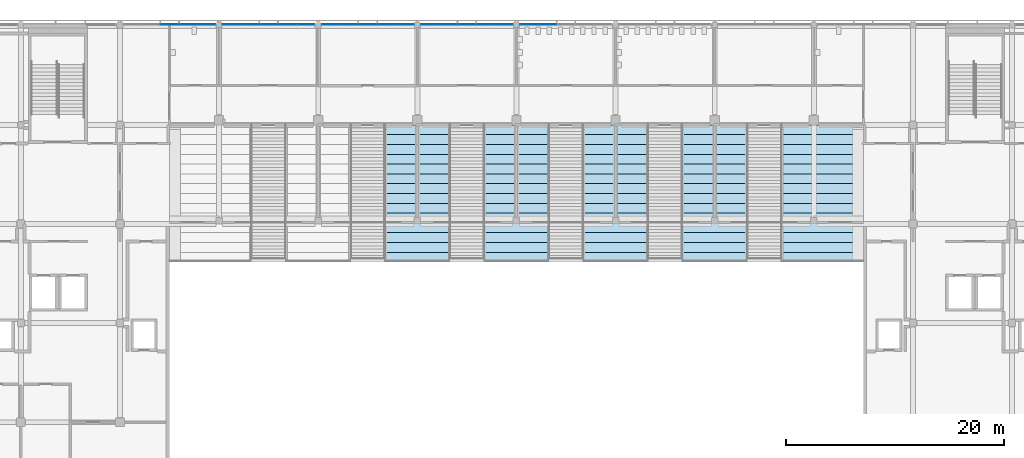
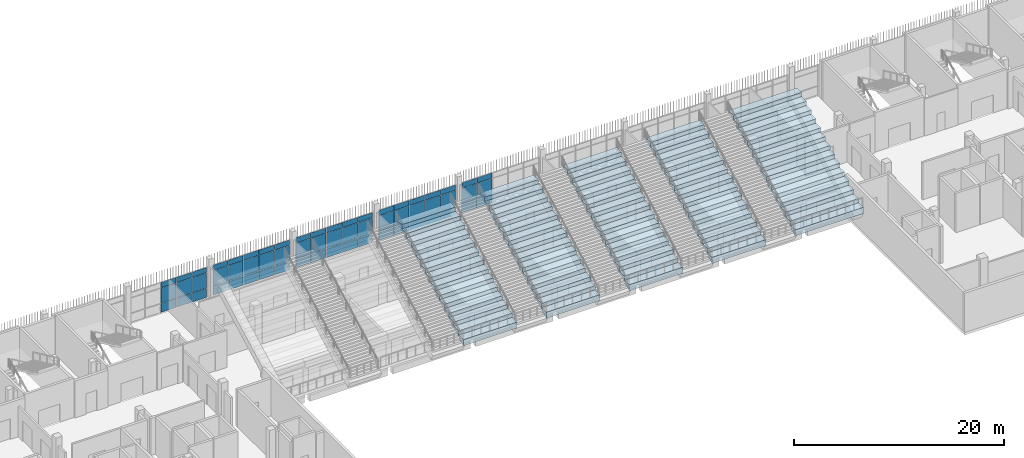
# One storey, part 68 of 139: 60 plates, 5 slabs, 5 elements without a shape of their own.
"""IFC4 building model written with IfcOpenShell, lengths in metres."""

from ifc_helpers import new_model, si_unit, direction, frame, origin, origin_2d, place, context, subcontext, project, spatial, polyline, rectangle, outline, extrude, material, layer, layer_set, type_object, element, aggregate, save


model = new_model("IFC4")

# Units and contexts
model_context = context("Model", 3, precision=1e-05, world=origin(), true_north=direction((0.0, 1.0)))
body_context = subcontext(model_context, "Body", "Model", "MODEL_VIEW")
ifc_project = project(units=[si_unit("LENGTHUNIT", "METRE"), si_unit("AREAUNIT", "SQUARE_METRE"), si_unit("VOLUMEUNIT", "CUBIC_METRE"), si_unit("PLANEANGLEUNIT", "RADIAN"), si_unit("MASSUNIT", "GRAM", prefix="KILO")], contexts=[model_context])

# Site, building, storey
site_placement = place(None, origin())
site = spatial("IfcSite", under=ifc_project, at=site_placement, CompositionType="ELEMENT")
building_placement = place(site_placement, origin())
building = spatial("IfcBuilding", under=site, at=building_placement, Name="Shirokan Park Arena", CompositionType="ELEMENT")
storey_placement = place(building_placement, frame((0.0, 0.0, 15.469970703125)))
storey = spatial("IfcBuildingStorey", under=building, at=storey_placement, Name="L03", CompositionType="ELEMENT", Elevation=15.469970703125)

# Curtain wall, plates
ifc_material_1 = material(Name="Steel and glass curtain wall", Category="steel")
ifc_layer_1 = layer(ifc_material_1, 0.10009765625)
ifc_layer_set_1 = layer_set([ifc_layer_1], Name="Steel and glass curtain wall 100 mm")
curtain_wall_type = type_object("IfcCurtainWallType", Name="Curtain wall sheltered bay 100", PredefinedType="NOTDEFINED", material=ifc_layer_set_1)
curtain_wall_1_placement = place(storey_placement, origin())
curtain_wall_1 = element("IfcCurtainWall", 1, at=curtain_wall_1_placement, inside=storey, type_object=curtain_wall_type, Name="Curtain wall north bay 8 L03", PredefinedType="NOTDEFINED")
ifc_material_2 = material(Name="Aluminium sheet", Category="aluminium")
ifc_layer_2 = layer(ifc_material_2, 0.0029296875, Name="Aluminium sheet")
ifc_material_3 = material(Name="Mineral wool insulation")
ifc_layer_3 = layer(ifc_material_3, 0.053955078125, Name="Mineral wool insulation")
ifc_layer_4 = layer(ifc_material_2, 0.0029296875, Name="Aluminium sheet")
ifc_layer_set_2 = layer_set([ifc_layer_2, ifc_layer_3, ifc_layer_4], Name="Aluminium sheet + Mineral wool insulation")
plate_type_1 = type_object("IfcPlateType", Name="Insulated spandrel panel 60", PredefinedType="CURTAIN_PANEL", material=ifc_layer_set_2)
plate_1_placement = place(storey_placement, frame((75.6298828125, 109.300048828125, 2.919921875), z_axis=(0.0, 0.0, 1.0), x_axis=(-1.0, 0.0, 0.0)))
plate_1 = element("IfcPlate", 2, at=plate_1_placement, type_object=plate_type_1, Name="CW2 panel 4.3", PredefinedType="CURTAIN_PANEL", context=body_context, shape_type="SweptSolid", body=[
    extrude(rectangle(XDim=1.669921875, YDim=0.06005859375, at=origin_2d()), origin(), (0.0, 0.0, 1.0), 0.590087890625),
])
plate_2_placement = place(storey_placement, frame((73.947509765625, 109.300048828125, 2.919921875), z_axis=(0.0, 0.0, 1.0), x_axis=(-1.0, 0.0, 0.0)))
plate_2 = element("IfcPlate", 3, at=plate_2_placement, type_object=plate_type_1, Name="CW2 panel 5.3", PredefinedType="CURTAIN_PANEL", context=body_context, shape_type="SweptSolid", body=[
    extrude(rectangle(XDim=1.594970703125, YDim=0.06005859375, at=origin_2d()), origin(), (0.0, 0.0, 1.0), 0.590087890625),
])

curtain_wall_2_placement = place(storey_placement, origin())
curtain_wall_2 = element("IfcCurtainWall", 4, at=curtain_wall_2_placement, inside=storey, type_object=curtain_wall_type, Name="Curtain wall north bay 9 L03", PredefinedType="NOTDEFINED")
plate_3_placement = place(storey_placement, frame((71.652587890625, 109.300048828125, 2.919921875), z_axis=(0.0, 0.0, 1.0), x_axis=(-1.0, 0.0, 0.0)))
plate_3 = element("IfcPlate", 5, at=plate_3_placement, type_object=plate_type_1, Name="CW2 panel 1.3", PredefinedType="CURTAIN_PANEL", context=body_context, shape_type="SweptSolid", body=[
    extrude(rectangle(XDim=1.594970703125, YDim=0.06005859375, at=origin_2d()), origin(), (0.0, 0.0, 1.0), 0.590087890625),
])
plate_4_placement = place(storey_placement, frame((69.969970703125, 109.300048828125, 2.919921875), z_axis=(0.0, 0.0, 1.0), x_axis=(-1.0, 0.0, 0.0)))
plate_4 = element("IfcPlate", 6, at=plate_4_placement, type_object=plate_type_1, Name="CW2 panel 2.3", PredefinedType="CURTAIN_PANEL", context=body_context, shape_type="SweptSolid", body=[
    extrude(rectangle(XDim=1.669921875, YDim=0.06005859375, at=origin_2d()), origin(), (0.0, 0.0, 1.0), 0.590087890625),
])
plate_5_placement = place(storey_placement, frame((68.25, 109.300048828125, 2.919921875), z_axis=(0.0, 0.0, 1.0), x_axis=(-1.0, 0.0, 0.0)))
plate_5 = element("IfcPlate", 7, at=plate_5_placement, type_object=plate_type_1, Name="CW2 panel 3.3", PredefinedType="CURTAIN_PANEL", context=body_context, shape_type="SweptSolid", body=[
    extrude(rectangle(XDim=1.669921875, YDim=0.06005859375, at=origin_2d()), origin(), (0.0, 0.0, 1.0), 0.590087890625),
])
plate_6_placement = place(storey_placement, frame((66.530029296875, 109.300048828125, 2.919921875), z_axis=(0.0, 0.0, 1.0), x_axis=(-1.0, 0.0, 0.0)))
plate_6 = element("IfcPlate", 8, at=plate_6_placement, type_object=plate_type_1, Name="CW2 panel 4.3", PredefinedType="CURTAIN_PANEL", context=body_context, shape_type="SweptSolid", body=[
    extrude(rectangle(XDim=1.669921875, YDim=0.06005859375, at=origin_2d()), origin(), (0.0, 0.0, 1.0), 0.590087890625),
])
plate_7_placement = place(storey_placement, frame((64.847412109375, 109.300048828125, 2.919921875), z_axis=(0.0, 0.0, 1.0), x_axis=(-1.0, 0.0, 0.0)))
plate_7 = element("IfcPlate", 9, at=plate_7_placement, type_object=plate_type_1, Name="CW2 panel 5.3", PredefinedType="CURTAIN_PANEL", context=body_context, shape_type="SweptSolid", body=[
    extrude(rectangle(XDim=1.594970703125, YDim=0.06005859375, at=origin_2d()), origin(), (0.0, 0.0, 1.0), 0.590087890625),
])

curtain_wall_3_placement = place(storey_placement, origin())
curtain_wall_3 = element("IfcCurtainWall", 10, at=curtain_wall_3_placement, inside=storey, type_object=curtain_wall_type, Name="Curtain wall north bay 10 L03", PredefinedType="NOTDEFINED")
plate_8_placement = place(storey_placement, frame((62.552490234375, 109.300048828125, 2.919921875), z_axis=(0.0, 0.0, 1.0), x_axis=(-1.0, 0.0, 0.0)))
plate_8 = element("IfcPlate", 11, at=plate_8_placement, type_object=plate_type_1, Name="CW2 panel 1.3", PredefinedType="CURTAIN_PANEL", context=body_context, shape_type="SweptSolid", body=[
    extrude(rectangle(XDim=1.594970703125, YDim=0.06005859375, at=origin_2d()), origin(), (0.0, 0.0, 1.0), 0.590087890625),
])
plate_9_placement = place(storey_placement, frame((60.8701171875, 109.300048828125, 2.919921875), z_axis=(0.0, 0.0, 1.0), x_axis=(-1.0, 0.0, 0.0)))
plate_9 = element("IfcPlate", 12, at=plate_9_placement, type_object=plate_type_1, Name="CW2 panel 2.3", PredefinedType="CURTAIN_PANEL", context=body_context, shape_type="SweptSolid", body=[
    extrude(rectangle(XDim=1.669921875, YDim=0.06005859375, at=origin_2d()), origin(), (0.0, 0.0, 1.0), 0.590087890625),
])
plate_10_placement = place(storey_placement, frame((59.14990234375, 109.300048828125, 2.919921875), z_axis=(0.0, 0.0, 1.0), x_axis=(-1.0, 0.0, 0.0)))
plate_10 = element("IfcPlate", 13, at=plate_10_placement, type_object=plate_type_1, Name="CW2 panel 3.3", PredefinedType="CURTAIN_PANEL", context=body_context, shape_type="SweptSolid", body=[
    extrude(rectangle(XDim=1.669921875, YDim=0.06005859375, at=origin_2d()), origin(), (0.0, 0.0, 1.0), 0.590087890625),
])
plate_11_placement = place(storey_placement, frame((57.429931640625, 109.300048828125, 2.919921875), z_axis=(0.0, 0.0, 1.0), x_axis=(-1.0, 0.0, 0.0)))
plate_11 = element("IfcPlate", 14, at=plate_11_placement, type_object=plate_type_1, Name="CW2 panel 4.3", PredefinedType="CURTAIN_PANEL", context=body_context, shape_type="SweptSolid", body=[
    extrude(rectangle(XDim=1.669921875, YDim=0.06005859375, at=origin_2d()), origin(), (0.0, 0.0, 1.0), 0.590087890625),
])
plate_12_placement = place(storey_placement, frame((55.74755859375, 109.300048828125, 2.919921875), z_axis=(0.0, 0.0, 1.0), x_axis=(-1.0, 0.0, 0.0)))
plate_12 = element("IfcPlate", 15, at=plate_12_placement, type_object=plate_type_1, Name="CW2 panel 5.3", PredefinedType="CURTAIN_PANEL", context=body_context, shape_type="SweptSolid", body=[
    extrude(rectangle(XDim=1.594970703125, YDim=0.06005859375, at=origin_2d()), origin(), (0.0, 0.0, 1.0), 0.590087890625),
])

curtain_wall_4_placement = place(storey_placement, origin())
curtain_wall_4 = element("IfcCurtainWall", 16, at=curtain_wall_4_placement, inside=storey, type_object=curtain_wall_type, Name="Curtain wall north bay 11 L03", PredefinedType="NOTDEFINED")
plate_13_placement = place(storey_placement, frame((53.452392578125, 109.300048828125, 2.919921875), z_axis=(0.0, 0.0, 1.0), x_axis=(-1.0, 0.0, 0.0)))
plate_13 = element("IfcPlate", 17, at=plate_13_placement, type_object=plate_type_1, Name="CW2 panel 1.3", PredefinedType="CURTAIN_PANEL", context=body_context, shape_type="SweptSolid", body=[
    extrude(rectangle(XDim=1.594970703125, YDim=0.06005859375, at=origin_2d()), origin(), (0.0, 0.0, 1.0), 0.590087890625),
])
plate_14_placement = place(storey_placement, frame((51.77001953125, 109.300048828125, 2.919921875), z_axis=(0.0, 0.0, 1.0), x_axis=(-1.0, 0.0, 0.0)))
plate_14 = element("IfcPlate", 18, at=plate_14_placement, type_object=plate_type_1, Name="CW2 panel 2.3", PredefinedType="CURTAIN_PANEL", context=body_context, shape_type="SweptSolid", body=[
    extrude(rectangle(XDim=1.669921875, YDim=0.06005859375, at=origin_2d()), origin(), (0.0, 0.0, 1.0), 0.590087890625),
])
plate_15_placement = place(storey_placement, frame((50.050048828125, 109.300048828125, 2.919921875), z_axis=(0.0, 0.0, 1.0), x_axis=(-1.0, 0.0, 0.0)))
plate_15 = element("IfcPlate", 19, at=plate_15_placement, type_object=plate_type_1, Name="CW2 panel 3.3", PredefinedType="CURTAIN_PANEL", context=body_context, shape_type="SweptSolid", body=[
    extrude(rectangle(XDim=1.669921875, YDim=0.06005859375, at=origin_2d()), origin(), (0.0, 0.0, 1.0), 0.590087890625),
])
plate_16_placement = place(storey_placement, frame((48.330078125, 109.300048828125, 2.919921875), z_axis=(0.0, 0.0, 1.0), x_axis=(-1.0, 0.0, 0.0)))
plate_16 = element("IfcPlate", 20, at=plate_16_placement, type_object=plate_type_1, Name="CW2 panel 4.3", PredefinedType="CURTAIN_PANEL", context=body_context, shape_type="SweptSolid", body=[
    extrude(rectangle(XDim=1.669921875, YDim=0.06005859375, at=origin_2d()), origin(), (0.0, 0.0, 1.0), 0.590087890625),
])
plate_17_placement = place(storey_placement, frame((46.6474609375, 109.300048828125, 2.919921875), z_axis=(0.0, 0.0, 1.0), x_axis=(-1.0, 0.0, 0.0)))
plate_17 = element("IfcPlate", 21, at=plate_17_placement, type_object=plate_type_1, Name="CW2 panel 5.3", PredefinedType="CURTAIN_PANEL", context=body_context, shape_type="SweptSolid", body=[
    extrude(rectangle(XDim=1.594970703125, YDim=0.06005859375, at=origin_2d()), origin(), (0.0, 0.0, 1.0), 0.590087890625),
])

curtain_wall_5_placement = place(storey_placement, origin())
curtain_wall_5 = element("IfcCurtainWall", 22, at=curtain_wall_5_placement, inside=storey, type_object=curtain_wall_type, Name="Curtain wall north bay 12 L03", PredefinedType="NOTDEFINED")
plate_18_placement = place(storey_placement, frame((44.35498046875, 109.300048828125, 2.919921875), z_axis=(0.0, 0.0, 1.0), x_axis=(-1.0, 0.0, 0.0)))
plate_18 = element("IfcPlate", 23, at=plate_18_placement, type_object=plate_type_1, Name="CW2 panel 1.3", PredefinedType="CURTAIN_PANEL", context=body_context, shape_type="SweptSolid", body=[
    extrude(rectangle(XDim=1.590087890625, YDim=0.06005859375, at=origin_2d()), origin(), (0.0, 0.0, 1.0), 0.590087890625),
])
plate_19_placement = place(storey_placement, frame((42.677490234375, 109.300048828125, 2.919921875), z_axis=(0.0, 0.0, 1.0), x_axis=(-1.0, 0.0, 0.0)))
plate_19 = element("IfcPlate", 24, at=plate_19_placement, type_object=plate_type_1, Name="CW2 panel 2.3", PredefinedType="CURTAIN_PANEL", context=body_context, shape_type="SweptSolid", body=[
    extrude(rectangle(XDim=1.6650390625, YDim=0.06005859375, at=origin_2d()), origin(), (0.0, 0.0, 1.0), 0.590087890625),
])
plate_20_placement = place(storey_placement, frame((40.96240234375, 109.300048828125, 2.919921875), z_axis=(0.0, 0.0, 1.0), x_axis=(-1.0, 0.0, 0.0)))
plate_20 = element("IfcPlate", 25, at=plate_20_placement, type_object=plate_type_1, Name="CW2 panel 3.3", PredefinedType="CURTAIN_PANEL", context=body_context, shape_type="SweptSolid", body=[
    extrude(rectangle(XDim=1.6650390625, YDim=0.06005859375, at=origin_2d()), origin(), (0.0, 0.0, 1.0), 0.590087890625),
])

# Plate
ifc_material_4 = material(Name="Toughened glass", Category="glass")
ifc_layer_5 = layer(ifc_material_4, 0.012939453125, Name="Toughened glass")
ifc_material_5 = material(Name="Interlayer film")
ifc_layer_6 = layer(ifc_material_5, 0.001953125, Name="Interlayer film")
ifc_layer_7 = layer(ifc_material_4, 0.012939453125, Name="Toughened glass")
ifc_layer_set_3 = layer_set([ifc_layer_5, ifc_layer_6, ifc_layer_7], Name="Toughened glass + Interlayer film")
plate_type_2 = type_object("IfcPlateType", Name="Laminated glass panel 28", PredefinedType="CURTAIN_PANEL", material=ifc_layer_set_3)
plate_21_placement = place(storey_placement, frame((75.6298828125, 109.300048828125, 1.1201171875), z_axis=(0.0, 0.0, 1.0), x_axis=(-1.0, 0.0, 0.0)))
plate_21 = element("IfcPlate", 26, at=plate_21_placement, type_object=plate_type_2, Name="CW2 panel 4.2", PredefinedType="CURTAIN_PANEL", context=body_context, shape_type="SweptSolid", body=[
    extrude(rectangle(XDim=1.669921875, YDim=0.028076171875, at=origin_2d()), origin(), (0.0, 0.0, 1.0), 1.760009765625),
])

plate_22_placement = place(storey_placement, frame((73.947509765625, 109.300048828125, 1.1201171875), z_axis=(0.0, 0.0, 1.0), x_axis=(-1.0, 0.0, 0.0)))
plate_22 = element("IfcPlate", 27, at=plate_22_placement, type_object=plate_type_2, Name="CW2 panel 5.2", PredefinedType="CURTAIN_PANEL", context=body_context, shape_type="SweptSolid", body=[
    extrude(rectangle(XDim=1.594970703125, YDim=0.028076171875, at=origin_2d()), origin(), (0.0, 0.0, 1.0), 1.760009765625),
])

plate_23_placement = place(storey_placement, frame((71.652587890625, 109.300048828125, 1.1201171875), z_axis=(0.0, 0.0, 1.0), x_axis=(-1.0, 0.0, 0.0)))
plate_23 = element("IfcPlate", 28, at=plate_23_placement, type_object=plate_type_2, Name="CW2 panel 1.2", PredefinedType="CURTAIN_PANEL", context=body_context, shape_type="SweptSolid", body=[
    extrude(rectangle(XDim=1.594970703125, YDim=0.028076171875, at=origin_2d()), origin(), (0.0, 0.0, 1.0), 1.760009765625),
])

plate_24_placement = place(storey_placement, frame((69.969970703125, 109.300048828125, 1.1201171875), z_axis=(0.0, 0.0, 1.0), x_axis=(-1.0, 0.0, 0.0)))
plate_24 = element("IfcPlate", 29, at=plate_24_placement, type_object=plate_type_2, Name="CW2 panel 2.2", PredefinedType="CURTAIN_PANEL", context=body_context, shape_type="SweptSolid", body=[
    extrude(rectangle(XDim=1.669921875, YDim=0.028076171875, at=origin_2d()), origin(), (0.0, 0.0, 1.0), 1.760009765625),
])

plate_25_placement = place(storey_placement, frame((68.25, 109.300048828125, 1.1201171875), z_axis=(0.0, 0.0, 1.0), x_axis=(-1.0, 0.0, 0.0)))
plate_25 = element("IfcPlate", 30, at=plate_25_placement, type_object=plate_type_2, Name="CW2 panel 3.2", PredefinedType="CURTAIN_PANEL", context=body_context, shape_type="SweptSolid", body=[
    extrude(rectangle(XDim=1.669921875, YDim=0.028076171875, at=origin_2d()), origin(), (0.0, 0.0, 1.0), 1.760009765625),
])

plate_26_placement = place(storey_placement, frame((66.530029296875, 109.300048828125, 1.1201171875), z_axis=(0.0, 0.0, 1.0), x_axis=(-1.0, 0.0, 0.0)))
plate_26 = element("IfcPlate", 31, at=plate_26_placement, type_object=plate_type_2, Name="CW2 panel 4.2", PredefinedType="CURTAIN_PANEL", context=body_context, shape_type="SweptSolid", body=[
    extrude(rectangle(XDim=1.669921875, YDim=0.028076171875, at=origin_2d()), origin(), (0.0, 0.0, 1.0), 1.760009765625),
])

plate_27_placement = place(storey_placement, frame((64.847412109375, 109.300048828125, 1.1201171875), z_axis=(0.0, 0.0, 1.0), x_axis=(-1.0, 0.0, 0.0)))
plate_27 = element("IfcPlate", 32, at=plate_27_placement, type_object=plate_type_2, Name="CW2 panel 5.2", PredefinedType="CURTAIN_PANEL", context=body_context, shape_type="SweptSolid", body=[
    extrude(rectangle(XDim=1.594970703125, YDim=0.028076171875, at=origin_2d()), origin(), (0.0, 0.0, 1.0), 1.760009765625),
])

plate_28_placement = place(storey_placement, frame((62.552490234375, 109.300048828125, 1.1201171875), z_axis=(0.0, 0.0, 1.0), x_axis=(-1.0, 0.0, 0.0)))
plate_28 = element("IfcPlate", 33, at=plate_28_placement, type_object=plate_type_2, Name="CW2 panel 1.2", PredefinedType="CURTAIN_PANEL", context=body_context, shape_type="SweptSolid", body=[
    extrude(rectangle(XDim=1.594970703125, YDim=0.028076171875, at=origin_2d()), origin(), (0.0, 0.0, 1.0), 1.760009765625),
])

plate_29_placement = place(storey_placement, frame((60.8701171875, 109.300048828125, 1.1201171875), z_axis=(0.0, 0.0, 1.0), x_axis=(-1.0, 0.0, 0.0)))
plate_29 = element("IfcPlate", 34, at=plate_29_placement, type_object=plate_type_2, Name="CW2 panel 2.2", PredefinedType="CURTAIN_PANEL", context=body_context, shape_type="SweptSolid", body=[
    extrude(rectangle(XDim=1.669921875, YDim=0.028076171875, at=origin_2d()), origin(), (0.0, 0.0, 1.0), 1.760009765625),
])

plate_30_placement = place(storey_placement, frame((59.14990234375, 109.300048828125, 1.1201171875), z_axis=(0.0, 0.0, 1.0), x_axis=(-1.0, 0.0, 0.0)))
plate_30 = element("IfcPlate", 35, at=plate_30_placement, type_object=plate_type_2, Name="CW2 panel 3.2", PredefinedType="CURTAIN_PANEL", context=body_context, shape_type="SweptSolid", body=[
    extrude(rectangle(XDim=1.669921875, YDim=0.028076171875, at=origin_2d()), origin(), (0.0, 0.0, 1.0), 1.760009765625),
])

plate_31_placement = place(storey_placement, frame((57.429931640625, 109.300048828125, 1.1201171875), z_axis=(0.0, 0.0, 1.0), x_axis=(-1.0, 0.0, 0.0)))
plate_31 = element("IfcPlate", 36, at=plate_31_placement, type_object=plate_type_2, Name="CW2 panel 4.2", PredefinedType="CURTAIN_PANEL", context=body_context, shape_type="SweptSolid", body=[
    extrude(rectangle(XDim=1.669921875, YDim=0.028076171875, at=origin_2d()), origin(), (0.0, 0.0, 1.0), 1.760009765625),
])

plate_32_placement = place(storey_placement, frame((55.74755859375, 109.300048828125, 1.1201171875), z_axis=(0.0, 0.0, 1.0), x_axis=(-1.0, 0.0, 0.0)))
plate_32 = element("IfcPlate", 37, at=plate_32_placement, type_object=plate_type_2, Name="CW2 panel 5.2", PredefinedType="CURTAIN_PANEL", context=body_context, shape_type="SweptSolid", body=[
    extrude(rectangle(XDim=1.594970703125, YDim=0.028076171875, at=origin_2d()), origin(), (0.0, 0.0, 1.0), 1.760009765625),
])

plate_33_placement = place(storey_placement, frame((53.452392578125, 109.300048828125, 1.1201171875), z_axis=(0.0, 0.0, 1.0), x_axis=(-1.0, 0.0, 0.0)))
plate_33 = element("IfcPlate", 38, at=plate_33_placement, type_object=plate_type_2, Name="CW2 panel 1.2", PredefinedType="CURTAIN_PANEL", context=body_context, shape_type="SweptSolid", body=[
    extrude(rectangle(XDim=1.594970703125, YDim=0.028076171875, at=origin_2d()), origin(), (0.0, 0.0, 1.0), 1.760009765625),
])

plate_34_placement = place(storey_placement, frame((51.77001953125, 109.300048828125, 1.1201171875), z_axis=(0.0, 0.0, 1.0), x_axis=(-1.0, 0.0, 0.0)))
plate_34 = element("IfcPlate", 39, at=plate_34_placement, type_object=plate_type_2, Name="CW2 panel 2.2", PredefinedType="CURTAIN_PANEL", context=body_context, shape_type="SweptSolid", body=[
    extrude(rectangle(XDim=1.669921875, YDim=0.028076171875, at=origin_2d()), origin(), (0.0, 0.0, 1.0), 1.760009765625),
])

plate_35_placement = place(storey_placement, frame((50.050048828125, 109.300048828125, 1.1201171875), z_axis=(0.0, 0.0, 1.0), x_axis=(-1.0, 0.0, 0.0)))
plate_35 = element("IfcPlate", 40, at=plate_35_placement, type_object=plate_type_2, Name="CW2 panel 3.2", PredefinedType="CURTAIN_PANEL", context=body_context, shape_type="SweptSolid", body=[
    extrude(rectangle(XDim=1.669921875, YDim=0.028076171875, at=origin_2d()), origin(), (0.0, 0.0, 1.0), 1.760009765625),
])

plate_36_placement = place(storey_placement, frame((48.330078125, 109.300048828125, 1.1201171875), z_axis=(0.0, 0.0, 1.0), x_axis=(-1.0, 0.0, 0.0)))
plate_36 = element("IfcPlate", 41, at=plate_36_placement, type_object=plate_type_2, Name="CW2 panel 4.2", PredefinedType="CURTAIN_PANEL", context=body_context, shape_type="SweptSolid", body=[
    extrude(rectangle(XDim=1.669921875, YDim=0.028076171875, at=origin_2d()), origin(), (0.0, 0.0, 1.0), 1.760009765625),
])

plate_37_placement = place(storey_placement, frame((46.6474609375, 109.300048828125, 1.1201171875), z_axis=(0.0, 0.0, 1.0), x_axis=(-1.0, 0.0, 0.0)))
plate_37 = element("IfcPlate", 42, at=plate_37_placement, type_object=plate_type_2, Name="CW2 panel 5.2", PredefinedType="CURTAIN_PANEL", context=body_context, shape_type="SweptSolid", body=[
    extrude(rectangle(XDim=1.594970703125, YDim=0.028076171875, at=origin_2d()), origin(), (0.0, 0.0, 1.0), 1.760009765625),
])

plate_38_placement = place(storey_placement, frame((44.35498046875, 109.300048828125, 1.1201171875), z_axis=(0.0, 0.0, 1.0), x_axis=(-1.0, 0.0, 0.0)))
plate_38 = element("IfcPlate", 43, at=plate_38_placement, type_object=plate_type_2, Name="CW2 panel 1.2", PredefinedType="CURTAIN_PANEL", context=body_context, shape_type="SweptSolid", body=[
    extrude(rectangle(XDim=1.590087890625, YDim=0.028076171875, at=origin_2d()), origin(), (0.0, 0.0, 1.0), 1.760009765625),
])

plate_39_placement = place(storey_placement, frame((42.677490234375, 109.300048828125, 1.1201171875), z_axis=(0.0, 0.0, 1.0), x_axis=(-1.0, 0.0, 0.0)))
plate_39 = element("IfcPlate", 44, at=plate_39_placement, type_object=plate_type_2, Name="CW2 panel 2.2", PredefinedType="CURTAIN_PANEL", context=body_context, shape_type="SweptSolid", body=[
    extrude(rectangle(XDim=1.6650390625, YDim=0.028076171875, at=origin_2d()), origin(), (0.0, 0.0, 1.0), 1.760009765625),
])

plate_40_placement = place(storey_placement, frame((40.96240234375, 109.300048828125, 1.1201171875), z_axis=(0.0, 0.0, 1.0), x_axis=(-1.0, 0.0, 0.0)))
plate_40 = element("IfcPlate", 45, at=plate_40_placement, type_object=plate_type_2, Name="CW2 panel 3.2", PredefinedType="CURTAIN_PANEL", context=body_context, shape_type="SweptSolid", body=[
    extrude(rectangle(XDim=1.6650390625, YDim=0.028076171875, at=origin_2d()), origin(), (0.0, 0.0, 1.0), 1.760009765625),
])

ifc_layer_8 = layer(ifc_material_4, 0.01708984375, Name="Toughened glass")
ifc_layer_9 = layer(ifc_material_5, 0.001953125, Name="Interlayer film")
ifc_layer_10 = layer(ifc_material_4, 0.01708984375, Name="Toughened glass")
ifc_layer_set_4 = layer_set([ifc_layer_8, ifc_layer_9, ifc_layer_10], Name="Toughened glass + Interlayer film")
plate_type_3 = type_object("IfcPlateType", Name="Laminated safety glass panel 36", PredefinedType="CURTAIN_PANEL", material=ifc_layer_set_4)
plate_41_placement = place(storey_placement, frame((75.6298828125, 109.300048828125, 0.0400390625), z_axis=(0.0, 0.0, 1.0), x_axis=(-1.0, 0.0, 0.0)))
plate_41 = element("IfcPlate", 46, at=plate_41_placement, type_object=plate_type_3, Name="CW2 panel 4.1", PredefinedType="CURTAIN_PANEL", context=body_context, shape_type="SweptSolid", body=[
    extrude(rectangle(XDim=1.669921875, YDim=0.035888671875, at=origin_2d()), origin(), (0.0, 0.0, 1.0), 1.0400390625),
])

plate_42_placement = place(storey_placement, frame((73.947509765625, 109.300048828125, 0.0400390625), z_axis=(0.0, 0.0, 1.0), x_axis=(-1.0, 0.0, 0.0)))
plate_42 = element("IfcPlate", 47, at=plate_42_placement, type_object=plate_type_3, Name="CW2 panel 5.1", PredefinedType="CURTAIN_PANEL", context=body_context, shape_type="SweptSolid", body=[
    extrude(rectangle(XDim=1.594970703125, YDim=0.035888671875, at=origin_2d()), origin(), (0.0, 0.0, 1.0), 1.0400390625),
])

aggregate(curtain_wall_1, [plate_41, plate_21, plate_1, plate_42, plate_22, plate_2])

plate_43_placement = place(storey_placement, frame((71.652587890625, 109.300048828125, 0.0400390625), z_axis=(0.0, 0.0, 1.0), x_axis=(-1.0, 0.0, 0.0)))
plate_43 = element("IfcPlate", 48, at=plate_43_placement, type_object=plate_type_3, Name="CW2 panel 1.1", PredefinedType="CURTAIN_PANEL", context=body_context, shape_type="SweptSolid", body=[
    extrude(rectangle(XDim=1.594970703125, YDim=0.035888671875, at=origin_2d()), origin(), (0.0, 0.0, 1.0), 1.0400390625),
])

plate_44_placement = place(storey_placement, frame((69.969970703125, 109.300048828125, 0.0400390625), z_axis=(0.0, 0.0, 1.0), x_axis=(-1.0, 0.0, 0.0)))
plate_44 = element("IfcPlate", 49, at=plate_44_placement, type_object=plate_type_3, Name="CW2 panel 2.1", PredefinedType="CURTAIN_PANEL", context=body_context, shape_type="SweptSolid", body=[
    extrude(rectangle(XDim=1.669921875, YDim=0.035888671875, at=origin_2d()), origin(), (0.0, 0.0, 1.0), 1.0400390625),
])

plate_45_placement = place(storey_placement, frame((68.25, 109.300048828125, 0.0400390625), z_axis=(0.0, 0.0, 1.0), x_axis=(-1.0, 0.0, 0.0)))
plate_45 = element("IfcPlate", 50, at=plate_45_placement, type_object=plate_type_3, Name="CW2 panel 3.1", PredefinedType="CURTAIN_PANEL", context=body_context, shape_type="SweptSolid", body=[
    extrude(rectangle(XDim=1.669921875, YDim=0.035888671875, at=origin_2d()), origin(), (0.0, 0.0, 1.0), 1.0400390625),
])

plate_46_placement = place(storey_placement, frame((66.530029296875, 109.300048828125, 0.0400390625), z_axis=(0.0, 0.0, 1.0), x_axis=(-1.0, 0.0, 0.0)))
plate_46 = element("IfcPlate", 51, at=plate_46_placement, type_object=plate_type_3, Name="CW2 panel 4.1", PredefinedType="CURTAIN_PANEL", context=body_context, shape_type="SweptSolid", body=[
    extrude(rectangle(XDim=1.669921875, YDim=0.035888671875, at=origin_2d()), origin(), (0.0, 0.0, 1.0), 1.0400390625),
])

plate_47_placement = place(storey_placement, frame((64.847412109375, 109.300048828125, 0.0400390625), z_axis=(0.0, 0.0, 1.0), x_axis=(-1.0, 0.0, 0.0)))
plate_47 = element("IfcPlate", 52, at=plate_47_placement, type_object=plate_type_3, Name="CW2 panel 5.1", PredefinedType="CURTAIN_PANEL", context=body_context, shape_type="SweptSolid", body=[
    extrude(rectangle(XDim=1.594970703125, YDim=0.035888671875, at=origin_2d()), origin(), (0.0, 0.0, 1.0), 1.0400390625),
])

aggregate(curtain_wall_2, [plate_43, plate_23, plate_3, plate_44, plate_24, plate_4, plate_45, plate_25, plate_5, plate_46, plate_26, plate_6, plate_47, plate_27, plate_7])

plate_48_placement = place(storey_placement, frame((62.552490234375, 109.300048828125, 0.0400390625), z_axis=(0.0, 0.0, 1.0), x_axis=(-1.0, 0.0, 0.0)))
plate_48 = element("IfcPlate", 53, at=plate_48_placement, type_object=plate_type_3, Name="CW2 panel 1.1", PredefinedType="CURTAIN_PANEL", context=body_context, shape_type="SweptSolid", body=[
    extrude(rectangle(XDim=1.594970703125, YDim=0.035888671875, at=origin_2d()), origin(), (0.0, 0.0, 1.0), 1.0400390625),
])

plate_49_placement = place(storey_placement, frame((60.8701171875, 109.300048828125, 0.0400390625), z_axis=(0.0, 0.0, 1.0), x_axis=(-1.0, 0.0, 0.0)))
plate_49 = element("IfcPlate", 54, at=plate_49_placement, type_object=plate_type_3, Name="CW2 panel 2.1", PredefinedType="CURTAIN_PANEL", context=body_context, shape_type="SweptSolid", body=[
    extrude(rectangle(XDim=1.669921875, YDim=0.035888671875, at=origin_2d()), origin(), (0.0, 0.0, 1.0), 1.0400390625),
])

plate_50_placement = place(storey_placement, frame((59.14990234375, 109.300048828125, 0.0400390625), z_axis=(0.0, 0.0, 1.0), x_axis=(-1.0, 0.0, 0.0)))
plate_50 = element("IfcPlate", 55, at=plate_50_placement, type_object=plate_type_3, Name="CW2 panel 3.1", PredefinedType="CURTAIN_PANEL", context=body_context, shape_type="SweptSolid", body=[
    extrude(rectangle(XDim=1.669921875, YDim=0.035888671875, at=origin_2d()), origin(), (0.0, 0.0, 1.0), 1.0400390625),
])

plate_51_placement = place(storey_placement, frame((57.429931640625, 109.300048828125, 0.0400390625), z_axis=(0.0, 0.0, 1.0), x_axis=(-1.0, 0.0, 0.0)))
plate_51 = element("IfcPlate", 56, at=plate_51_placement, type_object=plate_type_3, Name="CW2 panel 4.1", PredefinedType="CURTAIN_PANEL", context=body_context, shape_type="SweptSolid", body=[
    extrude(rectangle(XDim=1.669921875, YDim=0.035888671875, at=origin_2d()), origin(), (0.0, 0.0, 1.0), 1.0400390625),
])

plate_52_placement = place(storey_placement, frame((55.74755859375, 109.300048828125, 0.0400390625), z_axis=(0.0, 0.0, 1.0), x_axis=(-1.0, 0.0, 0.0)))
plate_52 = element("IfcPlate", 57, at=plate_52_placement, type_object=plate_type_3, Name="CW2 panel 5.1", PredefinedType="CURTAIN_PANEL", context=body_context, shape_type="SweptSolid", body=[
    extrude(rectangle(XDim=1.594970703125, YDim=0.035888671875, at=origin_2d()), origin(), (0.0, 0.0, 1.0), 1.0400390625),
])

aggregate(curtain_wall_3, [plate_48, plate_28, plate_8, plate_49, plate_29, plate_9, plate_50, plate_30, plate_10, plate_51, plate_31, plate_11, plate_52, plate_32, plate_12])

plate_53_placement = place(storey_placement, frame((53.452392578125, 109.300048828125, 0.0400390625), z_axis=(0.0, 0.0, 1.0), x_axis=(-1.0, 0.0, 0.0)))
plate_53 = element("IfcPlate", 58, at=plate_53_placement, type_object=plate_type_3, Name="CW2 panel 1.1", PredefinedType="CURTAIN_PANEL", context=body_context, shape_type="SweptSolid", body=[
    extrude(rectangle(XDim=1.594970703125, YDim=0.035888671875, at=origin_2d()), origin(), (0.0, 0.0, 1.0), 1.0400390625),
])

plate_54_placement = place(storey_placement, frame((51.77001953125, 109.300048828125, 0.0400390625), z_axis=(0.0, 0.0, 1.0), x_axis=(-1.0, 0.0, 0.0)))
plate_54 = element("IfcPlate", 59, at=plate_54_placement, type_object=plate_type_3, Name="CW2 panel 2.1", PredefinedType="CURTAIN_PANEL", context=body_context, shape_type="SweptSolid", body=[
    extrude(rectangle(XDim=1.669921875, YDim=0.035888671875, at=origin_2d()), origin(), (0.0, 0.0, 1.0), 1.0400390625),
])

plate_55_placement = place(storey_placement, frame((50.050048828125, 109.300048828125, 0.0400390625), z_axis=(0.0, 0.0, 1.0), x_axis=(-1.0, 0.0, 0.0)))
plate_55 = element("IfcPlate", 60, at=plate_55_placement, type_object=plate_type_3, Name="CW2 panel 3.1", PredefinedType="CURTAIN_PANEL", context=body_context, shape_type="SweptSolid", body=[
    extrude(rectangle(XDim=1.669921875, YDim=0.035888671875, at=origin_2d()), origin(), (0.0, 0.0, 1.0), 1.0400390625),
])

plate_56_placement = place(storey_placement, frame((48.330078125, 109.300048828125, 0.0400390625), z_axis=(0.0, 0.0, 1.0), x_axis=(-1.0, 0.0, 0.0)))
plate_56 = element("IfcPlate", 61, at=plate_56_placement, type_object=plate_type_3, Name="CW2 panel 4.1", PredefinedType="CURTAIN_PANEL", context=body_context, shape_type="SweptSolid", body=[
    extrude(rectangle(XDim=1.669921875, YDim=0.035888671875, at=origin_2d()), origin(), (0.0, 0.0, 1.0), 1.0400390625),
])

plate_57_placement = place(storey_placement, frame((46.6474609375, 109.300048828125, 0.0400390625), z_axis=(0.0, 0.0, 1.0), x_axis=(-1.0, 0.0, 0.0)))
plate_57 = element("IfcPlate", 62, at=plate_57_placement, type_object=plate_type_3, Name="CW2 panel 5.1", PredefinedType="CURTAIN_PANEL", context=body_context, shape_type="SweptSolid", body=[
    extrude(rectangle(XDim=1.594970703125, YDim=0.035888671875, at=origin_2d()), origin(), (0.0, 0.0, 1.0), 1.0400390625),
])

aggregate(curtain_wall_4, [plate_53, plate_33, plate_13, plate_54, plate_34, plate_14, plate_55, plate_35, plate_15, plate_56, plate_36, plate_16, plate_57, plate_37, plate_17])

plate_58_placement = place(storey_placement, frame((44.35498046875, 109.300048828125, 0.0400390625), z_axis=(0.0, 0.0, 1.0), x_axis=(-1.0, 0.0, 0.0)))
plate_58 = element("IfcPlate", 63, at=plate_58_placement, type_object=plate_type_3, Name="CW2 panel 1.1", PredefinedType="CURTAIN_PANEL", context=body_context, shape_type="SweptSolid", body=[
    extrude(rectangle(XDim=1.590087890625, YDim=0.035888671875, at=origin_2d()), origin(), (0.0, 0.0, 1.0), 1.0400390625),
])

plate_59_placement = place(storey_placement, frame((42.677490234375, 109.300048828125, 0.0400390625), z_axis=(0.0, 0.0, 1.0), x_axis=(-1.0, 0.0, 0.0)))
plate_59 = element("IfcPlate", 64, at=plate_59_placement, type_object=plate_type_3, Name="CW2 panel 2.1", PredefinedType="CURTAIN_PANEL", context=body_context, shape_type="SweptSolid", body=[
    extrude(rectangle(XDim=1.6650390625, YDim=0.035888671875, at=origin_2d()), origin(), (0.0, 0.0, 1.0), 1.0400390625),
])

plate_60_placement = place(storey_placement, frame((40.96240234375, 109.300048828125, 0.0400390625), z_axis=(0.0, 0.0, 1.0), x_axis=(-1.0, 0.0, 0.0)))
plate_60 = element("IfcPlate", 65, at=plate_60_placement, type_object=plate_type_3, Name="CW2 panel 3.1", PredefinedType="CURTAIN_PANEL", context=body_context, shape_type="SweptSolid", body=[
    extrude(rectangle(XDim=1.6650390625, YDim=0.035888671875, at=origin_2d()), origin(), (0.0, 0.0, 1.0), 1.0400390625),
])

aggregate(curtain_wall_5, [plate_58, plate_38, plate_18, plate_59, plate_39, plate_19, plate_60, plate_40, plate_20])

# Slabs
ifc_material_6 = material(Name="Concrete C35", Category="concrete")
ifc_layer_11 = layer(ifc_material_6, 0.199951171875)
ifc_layer_set_5 = layer_set([ifc_layer_11], Name="Concrete C35 200 mm")
slab_type = type_object("IfcSlabType", Name="RC seating tier upper 200", PredefinedType="USERDEFINED", material=ifc_layer_set_5)
for number, where, z_axis, x_axis, name in (
    (66, (63.699951171875, 87.5, 2.860107421875), (0.0, 0.0, 1.0), (0.0, 1.0, 0.0), "Stand upper N 3"),
    (67, (72.800048828125, 87.5, 2.860107421875), (0.0, 0.0, 1.0), (0.0, 1.0, 0.0), "Stand upper N 4"),
    (68, (81.89990234375, 87.5, 2.860107421875), (0.0, 0.0, 1.0), (0.0, 1.0, 0.0), "Stand upper N 5"),
    (69, (91.0, 87.5, 2.860107421875), (0.0, 0.0, 1.0), (0.0, 1.0, 0.0), "Stand upper N 6"),
):
    element("IfcSlab", number, at=place(storey_placement, frame(where, z_axis=z_axis, x_axis=x_axis)), inside=storey, type_object=slab_type, Name=name, ObjectType="SEATING TIER", PredefinedType="USERDEFINED", context=body_context, shape_type="SweptSolid", body=[
        extrude(outline(polyline([(0.0, 0.0), (0.89990234375, 0.0), (0.89990234375, 0.47998046875), (1.800048828125, 0.47998046875), (1.800048828125, 0.9599609375), (2.699951171875, 0.9599609375), (2.699951171875, 1.43994140625), (3.60009765625, 1.43994140625), (3.60009765625, 1.919921875), (4.5, 1.919921875), (4.5, 2.39990234375), (5.39990234375, 2.39990234375), (5.39990234375, 2.8798828125), (6.300048828125, 2.8798828125), (6.300048828125, 3.360107421875), (7.199951171875, 3.360107421875), (7.199951171875, 3.840087890625), (8.10009765625, 3.840087890625), (8.10009765625, 4.320068359375), (9.0, 4.320068359375), (9.0, 4.800048828125), (9.89990234375, 4.800048828125), (9.89990234375, 5.280029296875), (10.800048828125, 5.280029296875), (10.800048828125, 5.760009765625), (11.699951171875, 5.760009765625), (11.699951171875, 6.239990234375), (12.60009765625, 6.239990234375), (12.60009765625, 6.013427734375), (0.0, -0.706787109375), (0.0, 0.0)])), frame((0.0, 2.949951171875, 0.0), z_axis=(0.0, -1.0, 0.0), x_axis=(1.0, 0.0, 0.0)), (0.0, 0.0, 1.0), 5.89990234375),
    ])
slab_placement = place(storey_placement, frame((100.89990234375, 87.5, 2.860107421875), z_axis=(0.0, 0.0, 1.0), x_axis=(0.0, 1.0, 0.0)))
element("IfcSlab", 70, at=slab_placement, inside=storey, type_object=slab_type, Name="Stand upper N 7", ObjectType="SEATING TIER", PredefinedType="USERDEFINED", context=body_context, shape_type="SweptSolid", body=[
    extrude(outline(polyline([(0.0, 0.0), (0.89990234375, 0.0), (0.89990234375, 0.47998046875), (1.800048828125, 0.47998046875), (1.800048828125, 0.9599609375), (2.699951171875, 0.9599609375), (2.699951171875, 1.43994140625), (3.60009765625, 1.43994140625), (3.60009765625, 1.919921875), (4.5, 1.919921875), (4.5, 2.39990234375), (5.39990234375, 2.39990234375), (5.39990234375, 2.8798828125), (6.300048828125, 2.8798828125), (6.300048828125, 3.360107421875), (7.199951171875, 3.360107421875), (7.199951171875, 3.840087890625), (8.10009765625, 3.840087890625), (8.10009765625, 4.320068359375), (9.0, 4.320068359375), (9.0, 4.800048828125), (9.89990234375, 4.800048828125), (9.89990234375, 5.280029296875), (10.800048828125, 5.280029296875), (10.800048828125, 5.760009765625), (11.699951171875, 5.760009765625), (11.699951171875, 6.239990234375), (12.60009765625, 6.239990234375), (12.60009765625, 6.013427734375), (0.0, -0.706787109375), (0.0, 0.0)])), frame((0.0, 3.75, 0.0), z_axis=(0.0, -1.0, 0.0), x_axis=(1.0, 0.0, 0.0)), (0.0, 0.0, 1.0), 7.5),
])

save(model, "model.ifc")
